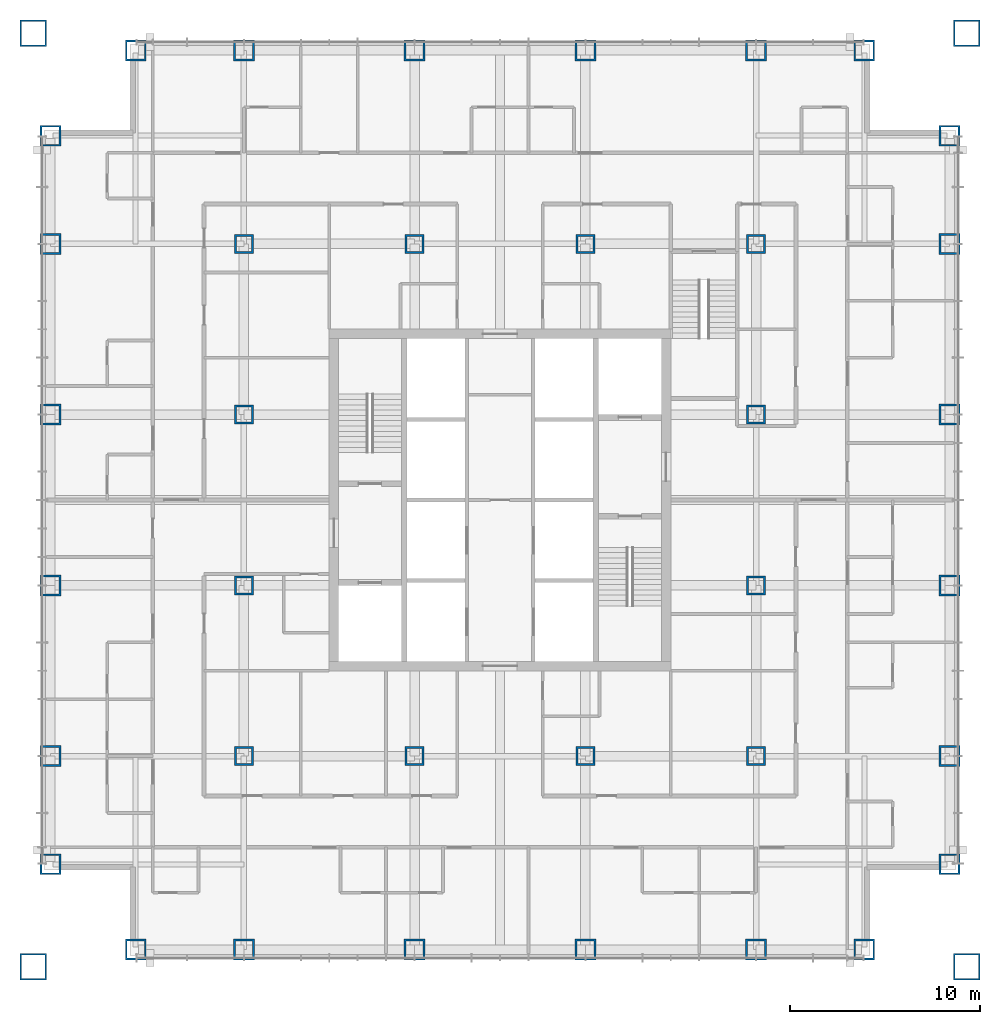
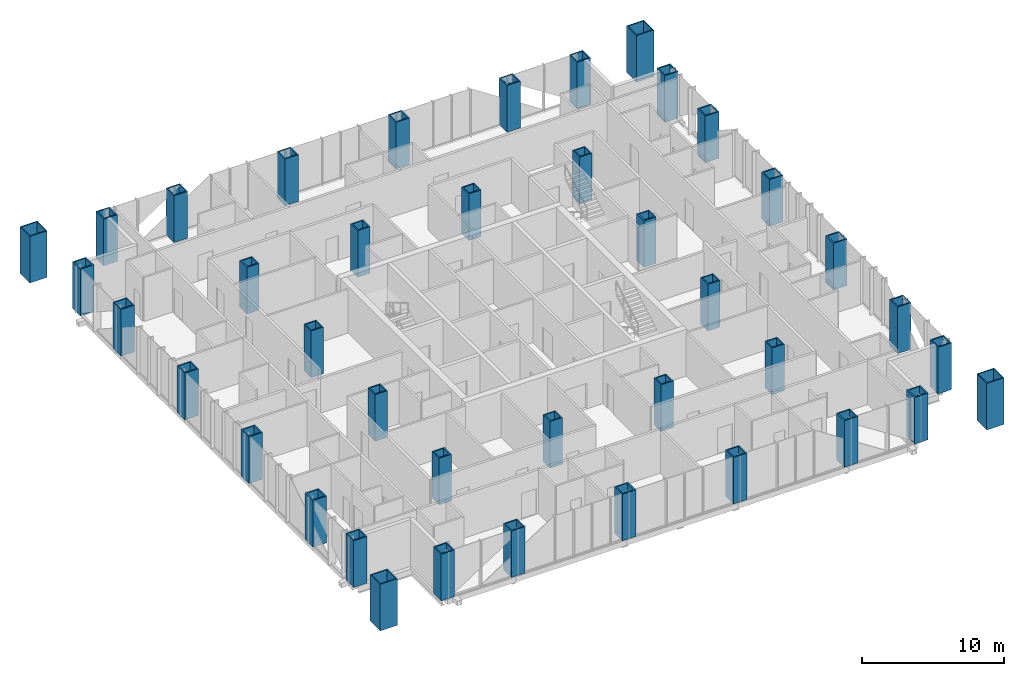
# One storey, part 1 of 16: 40 columns.
"""IFC4 building model written with IfcOpenShell, lengths in metres."""

from ifc_helpers import new_model, si_unit, direction, frame, origin, origin_2d, place, context, subcontext, project, spatial, hollow_rectangle, extrude, material, material_profile, profile_set, type_object, element, save


model = new_model("IFC4")

# Units and contexts
model_context = context("Model", 3, precision=1e-05, world=origin(), true_north=direction((0.0, 1.0)))
body_context = subcontext(model_context, "Body", "Model", "MODEL_VIEW")
ifc_project = project(units=[si_unit("LENGTHUNIT", "METRE"), si_unit("AREAUNIT", "SQUARE_METRE"), si_unit("VOLUMEUNIT", "CUBIC_METRE"), si_unit("PLANEANGLEUNIT", "RADIAN"), si_unit("MASSUNIT", "GRAM", prefix="KILO")], contexts=[model_context])

# Site, building, storey
site_placement = place(None, origin())
site = spatial("IfcSite", under=ifc_project, at=site_placement, CompositionType="ELEMENT")
building_placement = place(site_placement, origin())
building = spatial("IfcBuilding", under=site, at=building_placement, Name="Malebo Sky Hospital", CompositionType="ELEMENT")
storey_placement = place(building_placement, frame((0.0, 0.0, 144.0)))
storey = spatial("IfcBuildingStorey", under=building, at=storey_placement, Name="L34", CompositionType="ELEMENT", Elevation=144.0)

# Columns
ifc_material = material(Name="Steel S460", Category="steel")
ifc_material_profile_1 = material_profile(ifc_material, hollow_rectangle(XDim=1.0, YDim=1.0, WallThickness=0.10009765625, at=origin_2d()), Name="BOX 1000x1000x100")
ifc_profile_set_1 = profile_set([ifc_material_profile_1], Name="Steel S460")
column_type_1 = type_object("IfcColumnType", Name="INNER COLUMN BOX 1000x1000x100", PredefinedType="COLUMN", material=ifc_profile_set_1)
for number, where, z_axis, x_axis, name in (
    (1, (46.5, 48.5, 0.0), (0.0, 0.0, 1.0), (1.0, 0.0, 0.0), "Column IC9 L34"),
    (2, (73.5, 48.5, 0.0), (0.0, 0.0, 1.0), (1.0, 0.0, 0.0), "Column IC9 L34"),
    (3, (73.5, 75.5, 0.0), (0.0, 0.0, 1.0), (1.0, 0.0, 0.0), "Column IC9 L34"),
    (4, (46.5, 75.5, 0.0), (0.0, 0.0, 1.0), (1.0, 0.0, 0.0), "Column IC9 L34"),
    (5, (55.5, 48.5, 0.0), (0.0, 0.0, 1.0), (1.0, 0.0, 0.0), "Column IC9 L34"),
    (6, (64.5, 48.5, 0.0), (0.0, 0.0, 1.0), (1.0, 0.0, 0.0), "Column IC9 L34"),
    (7, (55.5, 75.5, 0.0), (0.0, 0.0, 1.0), (1.0, 0.0, 0.0), "Column IC9 L34"),
    (8, (64.5, 75.5, 0.0), (0.0, 0.0, 1.0), (1.0, 0.0, 0.0), "Column IC9 L34"),
    (9, (46.5, 57.5, 0.0), (0.0, 0.0, 1.0), (1.0, 0.0, 0.0), "Column IC9 L34"),
    (10, (46.5, 66.5, 0.0), (0.0, 0.0, 1.0), (1.0, 0.0, 0.0), "Column IC9 L34"),
    (11, (73.5, 57.5, 0.0), (0.0, 0.0, 1.0), (1.0, 0.0, 0.0), "Column IC9 L34"),
    (12, (73.5, 66.5, 0.0), (0.0, 0.0, 1.0), (1.0, 0.0, 0.0), "Column IC9 L34"),
):
    element("IfcColumn", number, at=place(storey_placement, frame(where, z_axis=z_axis, x_axis=x_axis)), inside=storey, type_object=column_type_1, Name=name, PredefinedType="COLUMN", context=body_context, shape_type="SweptSolid", body=[
        extrude(hollow_rectangle(XDim=1.0, YDim=1.0, WallThickness=0.10009765625, at=origin_2d()), origin(), (0.0, 0.0, 1.0), 4.0),
    ])
ifc_material_profile_2 = material_profile(ifc_material, hollow_rectangle(XDim=1.39990234375, YDim=1.39990234375, WallThickness=0.080078125, at=origin_2d()), Name="BOX 1400x1400x80")
ifc_profile_set_2 = profile_set([ifc_material_profile_2], Name="Steel S460")
column_type_2 = type_object("IfcColumnType", Name="MEGA COLUMN BOX 1400x1400x80", PredefinedType="COLUMN", material=ifc_profile_set_2)
for number, where, z_axis, x_axis, name in (
    (13, (35.39990234375, 37.39990234375, 0.0), (0.0, 0.0, 1.0), (1.0, 0.0, 0.0), "Mega column SW L34"),
    (14, (84.60009765625, 37.39990234375, 0.0), (0.0, 0.0, 1.0), (1.0, 0.0, 0.0), "Mega column SE L34"),
    (15, (84.60009765625, 86.60009765625, 0.0), (0.0, 0.0, 1.0), (1.0, 0.0, 0.0), "Mega column NE L34"),
    (16, (35.39990234375, 86.60009765625, 0.0), (0.0, 0.0, 1.0), (1.0, 0.0, 0.0), "Mega column NW L34"),
):
    element("IfcColumn", number, at=place(storey_placement, frame(where, z_axis=z_axis, x_axis=x_axis)), inside=storey, type_object=column_type_2, Name=name, PredefinedType="COLUMN", context=body_context, shape_type="SweptSolid", body=[
        extrude(hollow_rectangle(XDim=1.39990234375, YDim=1.39990234375, WallThickness=0.080078125, at=origin_2d()), origin(), (0.0, 0.0, 1.0), 4.0),
    ])
ifc_material_profile_3 = material_profile(ifc_material, hollow_rectangle(XDim=1.10009765625, YDim=1.10009765625, WallThickness=0.10009765625, at=origin_2d()), Name="BOX 1100x1100x100")
ifc_profile_set_3 = profile_set([ifc_material_profile_3], Name="Steel S460")
column_type_3 = type_object("IfcColumnType", Name="PERIMETER COLUMN BOX 1100x1100x100", PredefinedType="COLUMN", material=ifc_profile_set_3)
for number, where, z_axis, x_axis, name in (
    (17, (40.800048828125, 38.300048828125, 0.0), (0.0, 0.0, 1.0), (1.0, 0.0, 0.0), "Column PC10 L34"),
    (18, (40.800048828125, 85.699951171875, 0.0), (0.0, 0.0, 1.0), (1.0, 0.0, 0.0), "Column PC10 L34"),
    (19, (36.300048828125, 42.800048828125, 0.0), (0.0, 0.0, 1.0), (1.0, 0.0, 0.0), "Column PC10 L34"),
    (20, (83.699951171875, 42.800048828125, 0.0), (0.0, 0.0, 1.0), (1.0, 0.0, 0.0), "Column PC10 L34"),
    (21, (46.5, 38.300048828125, 0.0), (0.0, 0.0, 1.0), (1.0, 0.0, 0.0), "Column PC10 L34"),
    (22, (46.5, 85.699951171875, 0.0), (0.0, 0.0, 1.0), (1.0, 0.0, 0.0), "Column PC10 L34"),
    (23, (36.300048828125, 48.5, 0.0), (0.0, 0.0, 1.0), (1.0, 0.0, 0.0), "Column PC10 L34"),
    (24, (83.699951171875, 48.5, 0.0), (0.0, 0.0, 1.0), (1.0, 0.0, 0.0), "Column PC10 L34"),
    (25, (55.5, 38.300048828125, 0.0), (0.0, 0.0, 1.0), (1.0, 0.0, 0.0), "Column PC10 L34"),
    (26, (55.5, 85.699951171875, 0.0), (0.0, 0.0, 1.0), (1.0, 0.0, 0.0), "Column PC10 L34"),
    (27, (36.300048828125, 57.5, 0.0), (0.0, 0.0, 1.0), (1.0, 0.0, 0.0), "Column PC10 L34"),
    (28, (83.699951171875, 57.5, 0.0), (0.0, 0.0, 1.0), (1.0, 0.0, 0.0), "Column PC10 L34"),
    (29, (64.5, 38.300048828125, 0.0), (0.0, 0.0, 1.0), (1.0, 0.0, 0.0), "Column PC10 L34"),
    (30, (64.5, 85.699951171875, 0.0), (0.0, 0.0, 1.0), (1.0, 0.0, 0.0), "Column PC10 L34"),
    (31, (36.300048828125, 66.5, 0.0), (0.0, 0.0, 1.0), (1.0, 0.0, 0.0), "Column PC10 L34"),
    (32, (83.699951171875, 66.5, 0.0), (0.0, 0.0, 1.0), (1.0, 0.0, 0.0), "Column PC10 L34"),
    (33, (73.5, 38.300048828125, 0.0), (0.0, 0.0, 1.0), (1.0, 0.0, 0.0), "Column PC10 L34"),
    (34, (73.5, 85.699951171875, 0.0), (0.0, 0.0, 1.0), (1.0, 0.0, 0.0), "Column PC10 L34"),
    (35, (36.300048828125, 75.5, 0.0), (0.0, 0.0, 1.0), (1.0, 0.0, 0.0), "Column PC10 L34"),
    (36, (83.699951171875, 75.5, 0.0), (0.0, 0.0, 1.0), (1.0, 0.0, 0.0), "Column PC10 L34"),
    (37, (79.199951171875, 38.300048828125, 0.0), (0.0, 0.0, 1.0), (1.0, 0.0, 0.0), "Column PC10 L34"),
    (38, (79.199951171875, 85.699951171875, 0.0), (0.0, 0.0, 1.0), (1.0, 0.0, 0.0), "Column PC10 L34"),
    (39, (36.300048828125, 81.199951171875, 0.0), (0.0, 0.0, 1.0), (1.0, 0.0, 0.0), "Column PC10 L34"),
    (40, (83.699951171875, 81.199951171875, 0.0), (0.0, 0.0, 1.0), (1.0, 0.0, 0.0), "Column PC10 L34"),
):
    element("IfcColumn", number, at=place(storey_placement, frame(where, z_axis=z_axis, x_axis=x_axis)), inside=storey, type_object=column_type_3, Name=name, PredefinedType="COLUMN", context=body_context, shape_type="SweptSolid", body=[
        extrude(hollow_rectangle(XDim=1.10009765625, YDim=1.10009765625, WallThickness=0.10009765625, at=origin_2d()), origin(), (0.0, 0.0, 1.0), 4.0),
    ])

save(model, "model.ifc")
